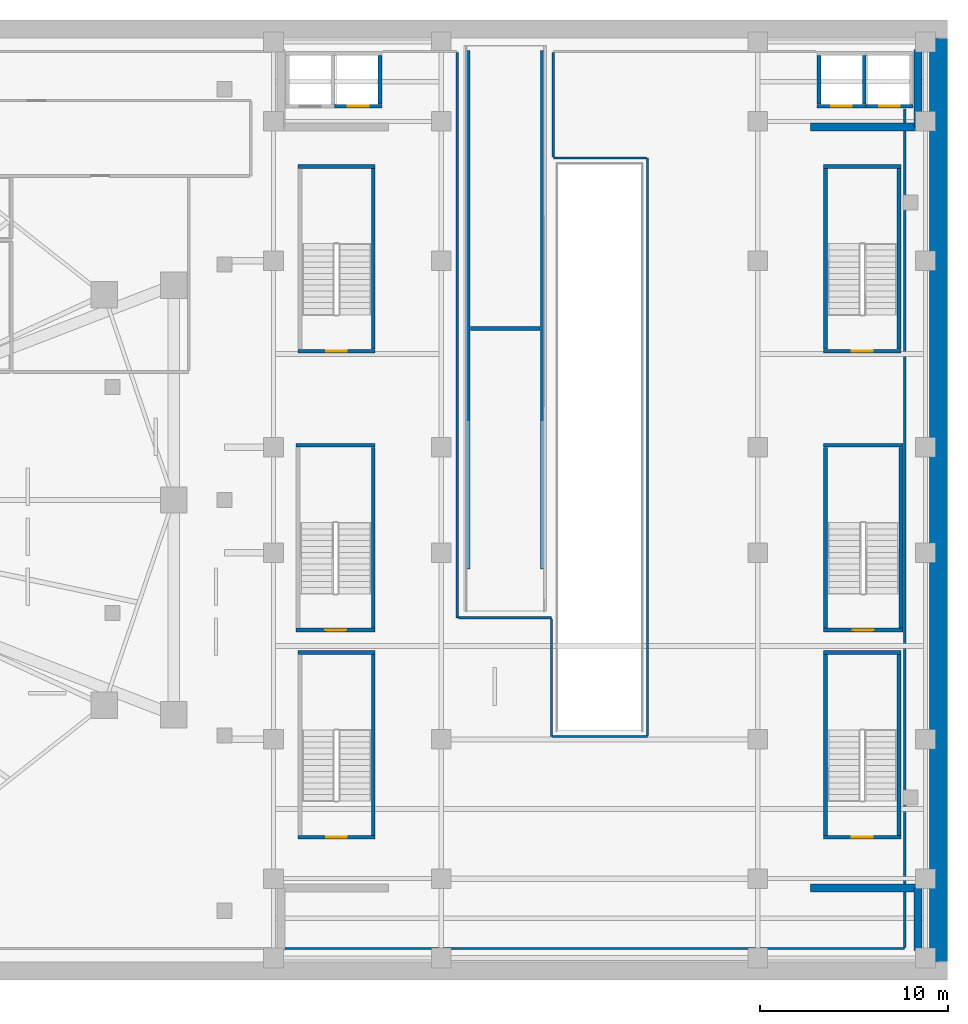
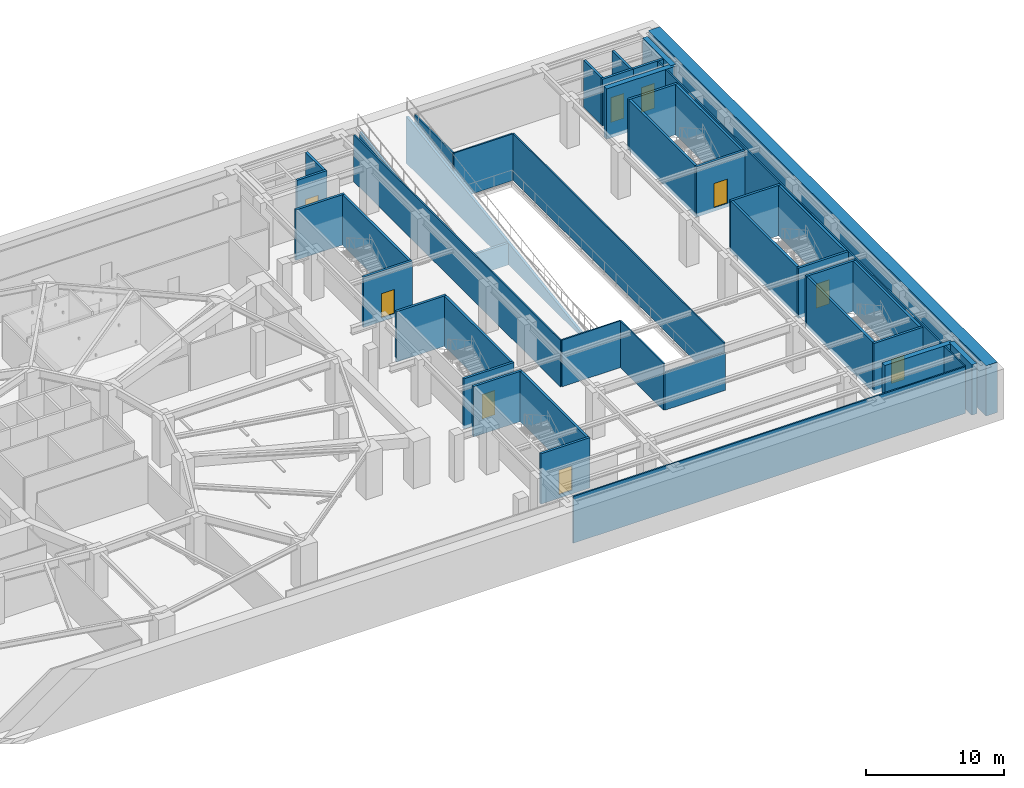
# One storey, part 9 of 16: 46 walls, 9 doors, 9 openings.
"""IFC4 building model written with IfcOpenShell, lengths in metres."""

from ifc_helpers import new_model, si_unit, direction, frame, frame_2d, origin, place, context, subcontext, project, spatial, polyline, rectangle, outline, extrude, material, layer, layer_set, type_object, element, fill, save


model = new_model("IFC4")

# Units and contexts
model_context = context("Model", 3, precision=1e-05, world=origin(), true_north=direction((0.0, 1.0)))
body_context = subcontext(model_context, "Body", "Model", "MODEL_VIEW")
ifc_project = project(units=[si_unit("LENGTHUNIT", "METRE"), si_unit("AREAUNIT", "SQUARE_METRE"), si_unit("VOLUMEUNIT", "CUBIC_METRE"), si_unit("PLANEANGLEUNIT", "RADIAN"), si_unit("MASSUNIT", "GRAM", prefix="KILO")], contexts=[model_context])

# Site, building, storey
site_placement = place(None, origin())
site = spatial("IfcSite", under=ifc_project, at=site_placement, CompositionType="ELEMENT")
building_placement = place(site_placement, origin())
building = spatial("IfcBuilding", under=site, at=building_placement, Name="Kolvaren Gate Tower and Convention Centre", CompositionType="ELEMENT")
storey_placement = place(building_placement, frame((0.0, 0.0, -4.5)))
storey = spatial("IfcBuildingStorey", under=building, at=storey_placement, Name="B1", CompositionType="ELEMENT", Elevation=-4.5)

# Walls
ifc_material_1 = material(Name="Fire-Rated Acoustic Gypsum Stud Partition", Category="gypsum")
ifc_layer_1 = layer(ifc_material_1, 0.1201171875)
ifc_layer_set_1 = layer_set([ifc_layer_1], Name="Fire-Rated Acoustic Gypsum Stud Partition")
wall_type_1 = type_object("IfcWallType", Name="ARCH-WL-PART-120", PredefinedType="PARTITIONING", material=ifc_layer_set_1)
wall_1_placement = place(storey_placement, frame((63.31201171875, 3.199951171875, 0.0), z_axis=(0.0, 0.0, 1.0), x_axis=(1.0, 0.0, 0.0)))
element("IfcWall", 1, at=wall_1_placement, inside=storey, type_object=wall_type_1, Name="Interior Partition WL-B1-INT-034 (2)", PredefinedType="PARTITIONING", context=body_context, shape_type="SweptSolid", body=[
    extrude(rectangle(XDim=32.887939453125, YDim=0.1201171875, at=frame_2d((16.44384765625, 0.0))), origin(), (0.0, 0.0, 1.0), 4.139892578125),
])
wall_2_placement = place(storey_placement, frame((72.449951171875, 20.75, 0.0), z_axis=(0.0, 0.0, 1.0), x_axis=(0.0, 1.0, 0.0)))
element("IfcWall", 2, at=wall_2_placement, inside=storey, type_object=wall_type_1, Name="Interior Partition WL-B1-INT-040", PredefinedType="PARTITIONING", context=body_context, shape_type="SweptSolid", body=[
    extrude(rectangle(XDim=29.988037109375, YDim=0.1201171875, at=frame_2d((14.994140625, 0.0))), origin(), (0.0, 0.0, 1.0), 4.139892578125),
])
wall_3_placement = place(storey_placement, frame((72.511962890625, 20.75, 0.0), z_axis=(0.0, 0.0, 1.0), x_axis=(1.0, 0.0, 0.0)))
element("IfcWall", 3, at=wall_3_placement, inside=storey, type_object=wall_type_1, Name="Interior Partition WL-B1-INT-041", PredefinedType="PARTITIONING", context=body_context, shape_type="SweptSolid", body=[
    extrude(rectangle(XDim=4.93798828125, YDim=0.1201171875, at=frame_2d((2.468994140625, 0.0))), origin(), (0.0, 0.0, 1.0), 4.139892578125),
])
wall_4_placement = place(storey_placement, frame((77.449951171875, 14.449951171875, 0.0), z_axis=(0.0, 0.0, 1.0), x_axis=(0.0, 1.0, 0.0)))
element("IfcWall", 4, at=wall_4_placement, inside=storey, type_object=wall_type_1, Name="Interior Partition WL-B1-INT-042", PredefinedType="PARTITIONING", context=body_context, shape_type="SweptSolid", body=[
    extrude(rectangle(XDim=6.238037109375, YDim=0.1201171875, at=frame_2d((3.119140625, 0.0))), origin(), (0.0, 0.0, 1.0), 4.139892578125),
])
wall_5_placement = place(storey_placement, frame((77.511962890625, 14.449951171875, 0.0), z_axis=(0.0, 0.0, 1.0), x_axis=(1.0, 0.0, 0.0)))
element("IfcWall", 5, at=wall_5_placement, inside=storey, type_object=wall_type_1, Name="Interior Partition WL-B1-INT-043", PredefinedType="PARTITIONING", context=body_context, shape_type="SweptSolid", body=[
    extrude(rectangle(XDim=5.0380859375, YDim=0.1201171875, at=frame_2d((2.51904296875, 0.0))), origin(), (0.0, 0.0, 1.0), 3.3740234375),
])
wall_6_placement = place(storey_placement, frame((82.550048828125, 14.511962890625, 0.0), z_axis=(0.0, 0.0, 1.0), x_axis=(0.0, 1.0, 0.0)))
element("IfcWall", 6, at=wall_6_placement, inside=storey, type_object=wall_type_1, Name="Interior Partition WL-B1-INT-044", PredefinedType="PARTITIONING", context=body_context, shape_type="SweptSolid", body=[
    extrude(rectangle(XDim=30.637939453125, YDim=0.1201171875, at=frame_2d((15.31884765625, 0.0))), origin(), (0.0, 0.0, 1.0), 4.139892578125),
])
wall_7_placement = place(storey_placement, frame((77.550048828125, 45.14990234375, 0.0), z_axis=(0.0, 0.0, 1.0), x_axis=(1.0, 0.0, 0.0)))
element("IfcWall", 7, at=wall_7_placement, inside=storey, type_object=wall_type_1, Name="Interior Partition WL-B1-INT-045", PredefinedType="PARTITIONING", context=body_context, shape_type="SweptSolid", body=[
    extrude(rectangle(XDim=4.93798828125, YDim=0.1201171875, at=frame_2d((2.468994140625, 0.0))), origin(), (0.0, 0.0, 1.0), 4.139892578125),
])
wall_8_placement = place(storey_placement, frame((77.550048828125, 45.2119140625, 0.0), z_axis=(0.0, 0.0, 1.0), x_axis=(0.0, 1.0, 0.0)))
element("IfcWall", 8, at=wall_8_placement, inside=storey, type_object=wall_type_1, Name="Interior Partition WL-B1-INT-046", PredefinedType="PARTITIONING", context=body_context, shape_type="SweptSolid", body=[
    extrude(rectangle(XDim=5.526123046875, YDim=0.1201171875, at=frame_2d((2.76318359375, 0.0))), origin(), (0.0, 0.0, 1.0), 4.139892578125),
])
wall_9_placement = place(storey_placement, frame((96.199951171875, 3.261962890625, 0.0), z_axis=(0.0, 0.0, 1.0), x_axis=(0.0, 1.0, 0.0)))
element("IfcWall", 9, at=wall_9_placement, inside=storey, type_object=wall_type_1, Name="Interior Partition WL-B1-INT-047", PredefinedType="PARTITIONING", context=body_context, shape_type="SweptSolid", body=[
    extrude(rectangle(XDim=2.926025390625, YDim=0.1201171875, at=frame_2d((1.462890625, 0.0))), origin(), (0.0, 0.0, 1.0), 4.139892578125),
])
wall_10_placement = place(storey_placement, frame((96.199951171875, 6.612060546875, 0.0), z_axis=(0.0, 0.0, 1.0), x_axis=(0.0, 1.0, 0.0)))
element("IfcWall", 10, at=wall_10_placement, inside=storey, type_object=wall_type_1, Name="Interior Partition WL-B1-INT-047 (2)", PredefinedType="PARTITIONING", context=body_context, shape_type="SweptSolid", body=[
    extrude(rectangle(XDim=39.975830078125, YDim=0.1201171875, at=frame_2d((19.98779296875, 0.0))), origin(), (0.0, 0.0, 1.0), 4.139892578125),
])
wall_11_placement = place(storey_placement, frame((96.199951171875, 47.011962890625, 0.0), z_axis=(0.0, 0.0, 1.0), x_axis=(0.0, 1.0, 0.0)))
element("IfcWall", 11, at=wall_11_placement, inside=storey, type_object=wall_type_1, Name="Interior Partition WL-B1-INT-047 (3)", PredefinedType="PARTITIONING", context=body_context, shape_type="SweptSolid", body=[
    extrude(rectangle(XDim=0.738037109375, YDim=0.1201171875, at=frame_2d((0.369140625, 0.0))), origin(), (0.0, 0.0, 1.0), 4.139892578125),
])

# Wall, opening, door
ifc_material_2 = material(Name="Autoclaved Aerated Masonry Blockwork Class 4 (4.0 MPa)", Category="masonry")
ifc_layer_2 = layer(ifc_material_2, 0.199951171875)
ifc_layer_set_2 = layer_set([ifc_layer_2], Name="Autoclaved Aerated Masonry Blockwork Class 4 (4.0 MPa)")
wall_type_2 = type_object("IfcWallType", Name="ARCH-WL-SHAFT-200", PredefinedType="SOLIDWALL", material=ifc_layer_set_2)
wall_12_placement = place(storey_placement, frame((65.949951171875, 47.89990234375, 0.0), z_axis=(0.0, 0.0, 1.0), x_axis=(1.0, 0.0, 0.0)))
wall_12 = element("IfcWall", 12, at=wall_12_placement, inside=storey, type_object=wall_type_2, Name="Elevator CL-02 B1 Fire Shaft Wall S", PredefinedType="SOLIDWALL", context=body_context, shape_type="SweptSolid", body=[
    extrude(rectangle(XDim=2.5, YDim=0.199951171875, at=frame_2d((1.25, 0.0))), origin(), (0.0, 0.0, 1.0), 4.139892578125),
])
opening_1_placement = place(wall_12_placement, frame((0.699951171875, 0.0, 0.0)))
opening_1 = element("IfcOpeningElement", 13, at=opening_1_placement, cuts=wall_12, Name="Opening LD", PredefinedType="OPENING", context=body_context, shape_type="SweptSolid", body=[
    extrude(rectangle(XDim=1.10009765625, YDim=2.199951171875, at=frame_2d((0.550048828125, 1.10009765625))), frame((0.0, 0.10986328125, 0.0), z_axis=(0.0, -1.0, 0.0), x_axis=(1.0, 0.0, 0.0)), (0.0, 0.0, 1.0), 0.219970703125),
])
ifc_material_3 = material(Name="Brushed Stainless Steel Grade 316L", Category="steel")
door_type_1 = type_object("IfcDoorType", Name="ARCH-DR-LIFT-1100", OperationType="SLIDING_TO_LEFT", PredefinedType="DOOR", material=ifc_material_3)
door_1_placement = place(opening_1_placement, origin())
door_1 = element("IfcDoor", 14, at=door_1_placement, inside=storey, type_object=door_type_1, Name="Elevator CL-02 B1 Sliding Landing Door", OperationType="SLIDING_TO_LEFT", OverallHeight=2.199951171875, OverallWidth=1.10009765625, PredefinedType="DOOR", context=body_context, shape_type="SweptSolid", body=[
    extrude(rectangle(XDim=1.10009765625, YDim=2.199951171875, at=frame_2d((0.550048828125, 1.10009765625))), frame((0.0, 0.02490234375, 0.0), z_axis=(0.0, -1.0, 0.0), x_axis=(1.0, 0.0, 0.0)), (0.0, 0.0, 1.0), 0.050048828125),
])
fill(opening_1, door_1)

# Wall
wall_13_placement = place(storey_placement, frame((68.35009765625, 48.010009765625, 0.0), z_axis=(0.0, 0.0, 1.0), x_axis=(0.0, 1.0, 0.0)))
element("IfcWall", 15, at=wall_13_placement, inside=storey, type_object=wall_type_2, Name="Elevator CL-02 B1 Fire Shaft Wall E", PredefinedType="SOLIDWALL", context=body_context, shape_type="SweptSolid", body=[
    extrude(rectangle(XDim=2.580078125, YDim=0.199951171875, at=frame_2d((1.2900390625, 0.0))), origin(), (0.0, 0.0, 1.0), 4.139892578125),
])

# Wall, opening, door
wall_14_placement = place(storey_placement, frame((91.550048828125, 47.89990234375, 0.0), z_axis=(0.0, 0.0, 1.0), x_axis=(1.0, 0.0, 0.0)))
wall_14 = element("IfcWall", 16, at=wall_14_placement, inside=storey, type_object=wall_type_2, Name="Elevator CL-03 B1 Fire Shaft Wall S", PredefinedType="SOLIDWALL", context=body_context, shape_type="SweptSolid", body=[
    extrude(rectangle(XDim=2.599853515625, YDim=0.199951171875, at=frame_2d((1.2998046875, 0.0))), origin(), (0.0, 0.0, 1.0), 4.139892578125),
])
opening_2_placement = place(wall_14_placement, frame((0.75, 0.0, 0.0)))
opening_2 = element("IfcOpeningElement", 17, at=opening_2_placement, cuts=wall_14, Name="Opening LD", PredefinedType="OPENING", context=body_context, shape_type="SweptSolid", body=[
    extrude(rectangle(XDim=1.10009765625, YDim=2.199951171875, at=frame_2d((0.550048828125, 1.10009765625))), frame((0.0, 0.10986328125, 0.0), z_axis=(0.0, -1.0, 0.0), x_axis=(1.0, 0.0, 0.0)), (0.0, 0.0, 1.0), 0.219970703125),
])
door_2_placement = place(opening_2_placement, origin())
door_2 = element("IfcDoor", 18, at=door_2_placement, inside=storey, type_object=door_type_1, Name="Elevator CL-03 B1 Sliding Landing Door", OperationType="SLIDING_TO_LEFT", OverallHeight=2.199951171875, OverallWidth=1.10009765625, PredefinedType="DOOR", context=body_context, shape_type="SweptSolid", body=[
    extrude(rectangle(XDim=1.10009765625, YDim=2.199951171875, at=frame_2d((0.550048828125, 1.10009765625))), frame((0.0, 0.02490234375, 0.0), z_axis=(0.0, -1.0, 0.0), x_axis=(1.0, 0.0, 0.0)), (0.0, 0.0, 1.0), 0.050048828125),
])
fill(opening_2, door_2)

# Walls
for number, where, z_axis, x_axis, name in (
    (19, (91.64990234375, 48.010009765625, 0.0), (0.0, 0.0, 1.0), (0.0, 1.0, 0.0), "Elevator CL-03 B1 Fire Shaft Wall W"),
    (20, (94.050048828125, 48.010009765625, 0.0), (0.0, 0.0, 1.0), (0.0, 1.0, 0.0), "Elevator CL-03 B1 Fire Shaft Wall E"),
):
    element("IfcWall", number, at=place(storey_placement, frame(where, z_axis=z_axis, x_axis=x_axis)), inside=storey, type_object=wall_type_2, Name=name, PredefinedType="SOLIDWALL", context=body_context, shape_type="SweptSolid", body=[
        extrude(rectangle(XDim=2.580078125, YDim=0.199951171875, at=frame_2d((1.2900390625, 0.0))), origin(), (0.0, 0.0, 1.0), 4.139892578125),
    ])

# Wall, opening, door
wall_15_placement = place(storey_placement, frame((94.14990234375, 47.89990234375, 0.0), z_axis=(0.0, 0.0, 1.0), x_axis=(1.0, 0.0, 0.0)))
wall_15 = element("IfcWall", 21, at=wall_15_placement, inside=storey, type_object=wall_type_2, Name="Elevator CL-04 B1 Fire Shaft Wall S", PredefinedType="SOLIDWALL", context=body_context, shape_type="SweptSolid", body=[
    extrude(rectangle(XDim=2.5, YDim=0.199951171875, at=frame_2d((1.25, 0.0))), origin(), (0.0, 0.0, 1.0), 4.139892578125),
])
opening_3_placement = place(wall_15_placement, frame((0.699951171875, 0.0, 0.0)))
opening_3 = element("IfcOpeningElement", 22, at=opening_3_placement, cuts=wall_15, Name="Opening LD", PredefinedType="OPENING", context=body_context, shape_type="SweptSolid", body=[
    extrude(rectangle(XDim=1.10009765625, YDim=2.199951171875, at=frame_2d((0.550048828125, 1.10009765625))), frame((0.0, 0.10986328125, 0.0), z_axis=(0.0, -1.0, 0.0), x_axis=(1.0, 0.0, 0.0)), (0.0, 0.0, 1.0), 0.219970703125),
])
door_3_placement = place(opening_3_placement, origin())
door_3 = element("IfcDoor", 23, at=door_3_placement, inside=storey, type_object=door_type_1, Name="Elevator CL-04 B1 Sliding Landing Door", OperationType="SLIDING_TO_LEFT", OverallHeight=2.199951171875, OverallWidth=1.10009765625, PredefinedType="DOOR", context=body_context, shape_type="SweptSolid", body=[
    extrude(rectangle(XDim=1.10009765625, YDim=2.199951171875, at=frame_2d((0.550048828125, 1.10009765625))), frame((0.0, 0.02490234375, 0.0), z_axis=(0.0, -1.0, 0.0), x_axis=(1.0, 0.0, 0.0)), (0.0, 0.0, 1.0), 0.050048828125),
])
fill(opening_3, door_3)

# Walls
ifc_material_4 = material(Name="Concrete C50/60", Category="concrete")
ifc_layer_3 = layer(ifc_material_4, 0.419921875)
ifc_layer_set_3 = layer_set([ifc_layer_3], Name="Concrete C50/60")
wall_type_3 = type_object("IfcWallType", Name="STR-WL-CONV-420", PredefinedType="SHEAR", material=ifc_layer_set_3)
wall_16_placement = place(storey_placement, frame((96.89990234375, 46.800048828125, -0.320068359375), z_axis=(0.0, 0.0, 1.0), x_axis=(0.0, 1.0, 0.0)))
element("IfcWall", 24, at=wall_16_placement, inside=storey, type_object=wall_type_3, Name="Convention B1 Shear Core Wall CCNE-E", PredefinedType="SHEAR", context=body_context, shape_type="SweptSolid", body=[
    extrude(rectangle(XDim=4.099853515625, YDim=0.419921875, at=frame_2d((2.0498046875, 0.0))), origin(), (0.0, 0.0, 1.0), 4.4599609375),
])
wall_17_placement = place(storey_placement, frame((91.199951171875, 46.800048828125, -0.320068359375), z_axis=(0.0, 0.0, 1.0), x_axis=(1.0, 0.0, 0.0)))
element("IfcWall", 25, at=wall_17_placement, inside=storey, type_object=wall_type_3, Name="Convention B1 Shear Core Wall CCNE-S", PredefinedType="SHEAR", context=body_context, shape_type="SweptSolid", body=[
    extrude(rectangle(XDim=5.699951171875, YDim=0.419921875, at=frame_2d((2.85009765625, 0.0))), origin(), (0.0, 0.0, 1.0), 4.4599609375),
])
wall_18_placement = place(storey_placement, frame((96.89990234375, 3.10009765625, -0.320068359375), z_axis=(0.0, 0.0, 1.0), x_axis=(0.0, 1.0, 0.0)))
element("IfcWall", 26, at=wall_18_placement, inside=storey, type_object=wall_type_3, Name="Convention B1 Shear Core Wall CCSE-E", PredefinedType="SHEAR", context=body_context, shape_type="SweptSolid", body=[
    extrude(rectangle(XDim=3.2998046875, YDim=0.419921875, at=frame_2d((1.64990234375, 0.0))), origin(), (0.0, 0.0, 1.0), 4.4599609375),
])
wall_19_placement = place(storey_placement, frame((91.199951171875, 6.39990234375, -0.320068359375), z_axis=(0.0, 0.0, 1.0), x_axis=(1.0, 0.0, 0.0)))
element("IfcWall", 27, at=wall_19_placement, inside=storey, type_object=wall_type_3, Name="Convention B1 Shear Core Wall CCSE-N", PredefinedType="SHEAR", context=body_context, shape_type="SweptSolid", body=[
    extrude(rectangle(XDim=5.699951171875, YDim=0.419921875, at=frame_2d((2.85009765625, 0.0))), origin(), (0.0, 0.0, 1.0), 4.4599609375),
])
ifc_layer_4 = layer(ifc_material_4, 0.949951171875)
ifc_layer_set_4 = layer_set([ifc_layer_4], Name="Concrete C50/60")
wall_type_4 = type_object("IfcWallType", Name="STR-WL-DIAPH-950", PredefinedType="USERDEFINED", material=ifc_layer_set_4)
wall_20_placement = place(storey_placement, frame((98.0, 2.4951171875, -0.320068359375), z_axis=(0.0, 0.0, 1.0), x_axis=(0.0, 1.0, 0.0)))
element("IfcWall", 28, at=wall_20_placement, inside=storey, type_object=wall_type_4, Name="Basement B1 E Perimeter Diaphragm Wall", ObjectType="RETAINING WALL", PredefinedType="USERDEFINED", context=body_context, shape_type="SweptSolid", body=[
    extrude(rectangle(XDim=49.009765625, YDim=0.949951171875, at=frame_2d((24.5048828125, 0.0))), origin(), (0.0, 0.0, 1.0), 4.4599609375),
])
ifc_layer_5 = layer(ifc_material_4, 0.199951171875)
ifc_layer_set_5 = layer_set([ifc_layer_5], Name="Concrete C50/60")
wall_type_5 = type_object("IfcWallType", Name="STR-WL-SHAFT-200", PredefinedType="SHEAR", material=ifc_layer_set_5)
for number, where, z_axis, x_axis, name in (
    (29, (73.0400390625, 23.35009765625, 0.0), (0.0, 0.0, 1.0), (0.0, 1.0, 0.0), "Vehicle Ramp VR-01 Sloped RC Cheek Support Wall W"),
    (30, (76.9599609375, 23.35009765625, 0.0), (0.0, 0.0, 1.0), (0.0, 1.0, 0.0), "Vehicle Ramp VR-01 Sloped RC Cheek Support Wall E"),
):
    element("IfcWall", number, at=place(storey_placement, frame(where, z_axis=z_axis, x_axis=x_axis)), inside=storey, type_object=wall_type_5, Name=name, PredefinedType="SHEAR", context=body_context, shape_type="SweptSolid", body=[
        extrude(outline(polyline([(0.0, 0.0), (27.5, 0.0), (27.5, 4.150390625), (0.0, 0.025390625), (0.0, 0.0)])), frame((0.0, 0.10009765625, 0.0), z_axis=(0.0, -1.0, 0.0), x_axis=(1.0, 0.0, 0.0)), (0.0, 0.0, 1.0), 0.199951171875),
    ])
wall_21_placement = place(storey_placement, frame((73.14990234375, 36.10009765625, 0.0), z_axis=(0.0, 0.0, 1.0), x_axis=(1.0, 0.0, 0.0)))
element("IfcWall", 31, at=wall_21_placement, inside=storey, type_object=wall_type_5, Name="Vehicle Ramp VR-01 Mid-Span RC Pier Wall", PredefinedType="SHEAR", context=body_context, shape_type="SweptSolid", body=[
    extrude(rectangle(XDim=3.7001953125, YDim=0.199951171875, at=frame_2d((1.85009765625, 0.0))), origin(), (0.0, 0.0, 1.0), 1.93505859375),
])

# Wall, opening, door
wall_22_placement = place(storey_placement, frame((64.0, 34.89990234375, -0.320068359375), z_axis=(0.0, 0.0, 1.0), x_axis=(1.0, 0.0, 0.0)))
wall_22 = element("IfcWall", 32, at=wall_22_placement, inside=storey, type_object=wall_type_5, Name="Convention NW Exit Stair ST-C1 B1 Structural Shear Enclosure Wall NEAR", PredefinedType="SHEAR", context=body_context, shape_type="SweptSolid", body=[
    extrude(rectangle(XDim=4.10009765625, YDim=0.199951171875, at=frame_2d((2.050048828125, 0.0))), origin(), (0.0, 0.0, 1.0), 4.4599609375),
])
opening_4_placement = place(wall_22_placement, frame((1.5, 0.0, 0.320068359375)))
opening_4 = element("IfcOpeningElement", 33, at=opening_4_placement, cuts=wall_22, Name="Opening DS-01", PredefinedType="OPENING", context=body_context, shape_type="SweptSolid", body=[
    extrude(rectangle(XDim=1.10009765625, YDim=2.14990234375, at=frame_2d((0.550048828125, 1.074951171875))), frame((0.0, 0.10986328125, 0.0), z_axis=(0.0, -1.0, 0.0), x_axis=(1.0, 0.0, 0.0)), (0.0, 0.0, 1.0), 0.219970703125),
])
ifc_material_5 = material(Name="Painted Architectural Steelwork ASTM A500 Grade C 345 MPa", Category="steel")
door_type_2 = type_object("IfcDoorType", Name="ARCH-DR-STAIR-1100", OperationType="SINGLE_SWING_LEFT", PredefinedType="DOOR", material=ifc_material_5)
door_4_placement = place(opening_4_placement, origin())
door_4 = element("IfcDoor", 34, at=door_4_placement, inside=storey, type_object=door_type_2, Name="Convention NW Exit Stair ST-C1 B1 Fire Exit Stair Door", OperationType="SINGLE_SWING_LEFT", OverallHeight=2.14990234375, OverallWidth=1.10009765625, PredefinedType="DOOR", context=body_context, shape_type="SweptSolid", body=[
    extrude(rectangle(XDim=1.10009765625, YDim=2.14990234375, at=frame_2d((0.550048828125, 1.074951171875))), frame((0.0, 0.02490234375, 0.0), z_axis=(0.0, -1.0, 0.0), x_axis=(1.0, 0.0, 0.0)), (0.0, 0.0, 1.0), 0.050048828125),
])
fill(opening_4, door_4)

# Walls
wall_23_placement = place(storey_placement, frame((64.0, 44.699951171875, -0.320068359375), z_axis=(0.0, 0.0, 1.0), x_axis=(1.0, 0.0, 0.0)))
element("IfcWall", 35, at=wall_23_placement, inside=storey, type_object=wall_type_5, Name="Convention NW Exit Stair ST-C1 B1 Structural Shear Enclosure Wall FAR", PredefinedType="SHEAR", context=body_context, shape_type="SweptSolid", body=[
    extrude(rectangle(XDim=4.10009765625, YDim=0.199951171875, at=frame_2d((2.050048828125, 0.0))), origin(), (0.0, 0.0, 1.0), 4.4599609375),
])
wall_24_placement = place(storey_placement, frame((68.0, 35.001953125, -0.320068359375), z_axis=(0.0, 0.0, 1.0), x_axis=(0.0, 1.0, 0.0)))
element("IfcWall", 36, at=wall_24_placement, inside=storey, type_object=wall_type_5, Name="Convention NW Exit Stair ST-C1 B1 Structural Shear Enclosure Wall EAST", PredefinedType="SHEAR", context=body_context, shape_type="SweptSolid", body=[
    extrude(rectangle(XDim=9.595947265625, YDim=0.199951171875, at=frame_2d((4.7978515625, 0.0))), origin(), (0.0, 0.0, 1.0), 4.4599609375),
])

# Wall, opening, door
wall_25_placement = place(storey_placement, frame((64.0, 9.10009765625, -0.320068359375), z_axis=(0.0, 0.0, 1.0), x_axis=(1.0, 0.0, 0.0)))
wall_25 = element("IfcWall", 37, at=wall_25_placement, inside=storey, type_object=wall_type_5, Name="Convention SW Exit Stair ST-C2 B1 Structural Shear Enclosure Wall NEAR", PredefinedType="SHEAR", context=body_context, shape_type="SweptSolid", body=[
    extrude(rectangle(XDim=4.10009765625, YDim=0.199951171875, at=frame_2d((2.050048828125, 0.0))), origin(), (0.0, 0.0, 1.0), 4.4599609375),
])
opening_5_placement = place(wall_25_placement, frame((1.5, 0.0, 0.320068359375)))
opening_5 = element("IfcOpeningElement", 38, at=opening_5_placement, cuts=wall_25, Name="Opening DS-01", PredefinedType="OPENING", context=body_context, shape_type="SweptSolid", body=[
    extrude(rectangle(XDim=1.10009765625, YDim=2.14990234375, at=frame_2d((0.550048828125, 1.074951171875))), frame((0.0, 0.10986328125, 0.0), z_axis=(0.0, -1.0, 0.0), x_axis=(1.0, 0.0, 0.0)), (0.0, 0.0, 1.0), 0.219970703125),
])
door_5_placement = place(opening_5_placement, origin())
door_5 = element("IfcDoor", 39, at=door_5_placement, inside=storey, type_object=door_type_2, Name="Convention SW Exit Stair ST-C2 B1 Fire Exit Stair Door", OperationType="SINGLE_SWING_LEFT", OverallHeight=2.14990234375, OverallWidth=1.10009765625, PredefinedType="DOOR", context=body_context, shape_type="SweptSolid", body=[
    extrude(rectangle(XDim=1.10009765625, YDim=2.14990234375, at=frame_2d((0.550048828125, 1.074951171875))), frame((0.0, 0.02490234375, 0.0), z_axis=(0.0, -1.0, 0.0), x_axis=(1.0, 0.0, 0.0)), (0.0, 0.0, 1.0), 0.050048828125),
])
fill(opening_5, door_5)

# Walls
wall_26_placement = place(storey_placement, frame((64.0, 18.89990234375, -0.320068359375), z_axis=(0.0, 0.0, 1.0), x_axis=(1.0, 0.0, 0.0)))
element("IfcWall", 40, at=wall_26_placement, inside=storey, type_object=wall_type_5, Name="Convention SW Exit Stair ST-C2 B1 Structural Shear Enclosure Wall FAR", PredefinedType="SHEAR", context=body_context, shape_type="SweptSolid", body=[
    extrude(rectangle(XDim=4.10009765625, YDim=0.199951171875, at=frame_2d((2.050048828125, 0.0))), origin(), (0.0, 0.0, 1.0), 4.4599609375),
])
wall_27_placement = place(storey_placement, frame((68.0, 9.201904296875, -0.320068359375), z_axis=(0.0, 0.0, 1.0), x_axis=(0.0, 1.0, 0.0)))
element("IfcWall", 41, at=wall_27_placement, inside=storey, type_object=wall_type_5, Name="Convention SW Exit Stair ST-C2 B1 Structural Shear Enclosure Wall EAST", PredefinedType="SHEAR", context=body_context, shape_type="SweptSolid", body=[
    extrude(rectangle(XDim=9.59619140625, YDim=0.199951171875, at=frame_2d((4.798095703125, 0.0))), origin(), (0.0, 0.0, 1.0), 4.4599609375),
])

# Wall, opening, door
wall_28_placement = place(storey_placement, frame((91.89990234375, 34.89990234375, -0.320068359375), z_axis=(0.0, 0.0, 1.0), x_axis=(1.0, 0.0, 0.0)))
wall_28 = element("IfcWall", 42, at=wall_28_placement, inside=storey, type_object=wall_type_5, Name="Convention NE Exit Stair ST-C3 B1 Structural Shear Enclosure Wall NEAR", PredefinedType="SHEAR", context=body_context, shape_type="SweptSolid", body=[
    extrude(rectangle(XDim=4.10009765625, YDim=0.199951171875, at=frame_2d((2.050048828125, 0.0))), origin(), (0.0, 0.0, 1.0), 4.4599609375),
])
opening_6_placement = place(wall_28_placement, frame((1.5, 0.0, 0.320068359375)))
opening_6 = element("IfcOpeningElement", 43, at=opening_6_placement, cuts=wall_28, Name="Opening DS-01", PredefinedType="OPENING", context=body_context, shape_type="SweptSolid", body=[
    extrude(rectangle(XDim=1.10009765625, YDim=2.14990234375, at=frame_2d((0.550048828125, 1.074951171875))), frame((0.0, 0.10986328125, 0.0), z_axis=(0.0, -1.0, 0.0), x_axis=(1.0, 0.0, 0.0)), (0.0, 0.0, 1.0), 0.219970703125),
])
door_6_placement = place(opening_6_placement, origin())
door_6 = element("IfcDoor", 44, at=door_6_placement, inside=storey, type_object=door_type_2, Name="Convention NE Exit Stair ST-C3 B1 Fire Exit Stair Door", OperationType="SINGLE_SWING_LEFT", OverallHeight=2.14990234375, OverallWidth=1.10009765625, PredefinedType="DOOR", context=body_context, shape_type="SweptSolid", body=[
    extrude(rectangle(XDim=1.10009765625, YDim=2.14990234375, at=frame_2d((0.550048828125, 1.074951171875))), frame((0.0, 0.02490234375, 0.0), z_axis=(0.0, -1.0, 0.0), x_axis=(1.0, 0.0, 0.0)), (0.0, 0.0, 1.0), 0.050048828125),
])
fill(opening_6, door_6)

# Walls
wall_29_placement = place(storey_placement, frame((91.89990234375, 44.699951171875, -0.320068359375), z_axis=(0.0, 0.0, 1.0), x_axis=(1.0, 0.0, 0.0)))
element("IfcWall", 45, at=wall_29_placement, inside=storey, type_object=wall_type_5, Name="Convention NE Exit Stair ST-C3 B1 Structural Shear Enclosure Wall FAR", PredefinedType="SHEAR", context=body_context, shape_type="SweptSolid", body=[
    extrude(rectangle(XDim=4.10009765625, YDim=0.199951171875, at=frame_2d((2.050048828125, 0.0))), origin(), (0.0, 0.0, 1.0), 4.4599609375),
])
for number, where, z_axis, x_axis, name in (
    (46, (92.0, 35.001953125, -0.320068359375), (0.0, 0.0, 1.0), (0.0, 1.0, 0.0), "Convention NE Exit Stair ST-C3 B1 Structural Shear Enclosure Wall WEST"),
    (47, (95.89990234375, 35.001953125, -0.320068359375), (0.0, 0.0, 1.0), (0.0, 1.0, 0.0), "Convention NE Exit Stair ST-C3 B1 Structural Shear Enclosure Wall EAST"),
):
    element("IfcWall", number, at=place(storey_placement, frame(where, z_axis=z_axis, x_axis=x_axis)), inside=storey, type_object=wall_type_5, Name=name, PredefinedType="SHEAR", context=body_context, shape_type="SweptSolid", body=[
        extrude(rectangle(XDim=9.595947265625, YDim=0.199951171875, at=frame_2d((4.7978515625, 0.0))), origin(), (0.0, 0.0, 1.0), 4.4599609375),
    ])

# Wall, opening, door
wall_30_placement = place(storey_placement, frame((91.89990234375, 9.10009765625, -0.320068359375), z_axis=(0.0, 0.0, 1.0), x_axis=(1.0, 0.0, 0.0)))
wall_30 = element("IfcWall", 48, at=wall_30_placement, inside=storey, type_object=wall_type_5, Name="Convention SE Exit Stair ST-C4 B1 Structural Shear Enclosure Wall NEAR", PredefinedType="SHEAR", context=body_context, shape_type="SweptSolid", body=[
    extrude(rectangle(XDim=4.10009765625, YDim=0.199951171875, at=frame_2d((2.050048828125, 0.0))), origin(), (0.0, 0.0, 1.0), 4.4599609375),
])
opening_7_placement = place(wall_30_placement, frame((1.5, 0.0, 0.320068359375)))
opening_7 = element("IfcOpeningElement", 49, at=opening_7_placement, cuts=wall_30, Name="Opening DS-01", PredefinedType="OPENING", context=body_context, shape_type="SweptSolid", body=[
    extrude(rectangle(XDim=1.10009765625, YDim=2.14990234375, at=frame_2d((0.550048828125, 1.074951171875))), frame((0.0, 0.10986328125, 0.0), z_axis=(0.0, -1.0, 0.0), x_axis=(1.0, 0.0, 0.0)), (0.0, 0.0, 1.0), 0.219970703125),
])
door_7_placement = place(opening_7_placement, origin())
door_7 = element("IfcDoor", 50, at=door_7_placement, inside=storey, type_object=door_type_2, Name="Convention SE Exit Stair ST-C4 B1 Fire Exit Stair Door", OperationType="SINGLE_SWING_LEFT", OverallHeight=2.14990234375, OverallWidth=1.10009765625, PredefinedType="DOOR", context=body_context, shape_type="SweptSolid", body=[
    extrude(rectangle(XDim=1.10009765625, YDim=2.14990234375, at=frame_2d((0.550048828125, 1.074951171875))), frame((0.0, 0.02490234375, 0.0), z_axis=(0.0, -1.0, 0.0), x_axis=(1.0, 0.0, 0.0)), (0.0, 0.0, 1.0), 0.050048828125),
])
fill(opening_7, door_7)

# Walls
wall_31_placement = place(storey_placement, frame((91.89990234375, 18.89990234375, -0.320068359375), z_axis=(0.0, 0.0, 1.0), x_axis=(1.0, 0.0, 0.0)))
element("IfcWall", 51, at=wall_31_placement, inside=storey, type_object=wall_type_5, Name="Convention SE Exit Stair ST-C4 B1 Structural Shear Enclosure Wall FAR", PredefinedType="SHEAR", context=body_context, shape_type="SweptSolid", body=[
    extrude(rectangle(XDim=4.10009765625, YDim=0.199951171875, at=frame_2d((2.050048828125, 0.0))), origin(), (0.0, 0.0, 1.0), 4.4599609375),
])
for number, where, z_axis, x_axis, name in (
    (52, (92.0, 9.201904296875, -0.320068359375), (0.0, 0.0, 1.0), (0.0, 1.0, 0.0), "Convention SE Exit Stair ST-C4 B1 Structural Shear Enclosure Wall WEST"),
    (53, (95.89990234375, 9.201904296875, -0.320068359375), (0.0, 0.0, 1.0), (0.0, 1.0, 0.0), "Convention SE Exit Stair ST-C4 B1 Structural Shear Enclosure Wall EAST"),
):
    element("IfcWall", number, at=place(storey_placement, frame(where, z_axis=z_axis, x_axis=x_axis)), inside=storey, type_object=wall_type_5, Name=name, PredefinedType="SHEAR", context=body_context, shape_type="SweptSolid", body=[
        extrude(rectangle(XDim=9.59619140625, YDim=0.199951171875, at=frame_2d((4.798095703125, 0.0))), origin(), (0.0, 0.0, 1.0), 4.4599609375),
    ])

# Wall, opening, door
wall_32_placement = place(storey_placement, frame((63.89990234375, 20.10009765625, -0.320068359375), z_axis=(0.0, 0.0, 1.0), x_axis=(1.0, 0.0, 0.0)))
wall_32 = element("IfcWall", 54, at=wall_32_placement, inside=storey, type_object=wall_type_5, Name="Convention West Assembly Stair ST-C5 B1 Structural Shear Enclosure Wall NEAR", PredefinedType="SHEAR", context=body_context, shape_type="SweptSolid", body=[
    extrude(rectangle(XDim=4.2001953125, YDim=0.199951171875, at=frame_2d((2.10009765625, 0.0))), origin(), (0.0, 0.0, 1.0), 4.4599609375),
])
opening_8_placement = place(wall_32_placement, frame((1.550048828125, 0.0, 0.320068359375)))
opening_8 = element("IfcOpeningElement", 55, at=opening_8_placement, cuts=wall_32, Name="Opening DS-01", PredefinedType="OPENING", context=body_context, shape_type="SweptSolid", body=[
    extrude(rectangle(XDim=1.10009765625, YDim=2.14990234375, at=frame_2d((0.550048828125, 1.074951171875))), frame((0.0, 0.10986328125, 0.0), z_axis=(0.0, -1.0, 0.0), x_axis=(1.0, 0.0, 0.0)), (0.0, 0.0, 1.0), 0.219970703125),
])
door_8_placement = place(opening_8_placement, origin())
door_8 = element("IfcDoor", 56, at=door_8_placement, inside=storey, type_object=door_type_2, Name="Convention West Assembly Stair ST-C5 B1 Fire Exit Stair Door", OperationType="SINGLE_SWING_LEFT", OverallHeight=2.14990234375, OverallWidth=1.10009765625, PredefinedType="DOOR", context=body_context, shape_type="SweptSolid", body=[
    extrude(rectangle(XDim=1.10009765625, YDim=2.14990234375, at=frame_2d((0.550048828125, 1.074951171875))), frame((0.0, 0.02490234375, 0.0), z_axis=(0.0, -1.0, 0.0), x_axis=(1.0, 0.0, 0.0)), (0.0, 0.0, 1.0), 0.050048828125),
])
fill(opening_8, door_8)

# Walls
wall_33_placement = place(storey_placement, frame((63.89990234375, 29.89990234375, -0.320068359375), z_axis=(0.0, 0.0, 1.0), x_axis=(1.0, 0.0, 0.0)))
element("IfcWall", 57, at=wall_33_placement, inside=storey, type_object=wall_type_5, Name="Convention West Assembly Stair ST-C5 B1 Structural Shear Enclosure Wall FAR", PredefinedType="SHEAR", context=body_context, shape_type="SweptSolid", body=[
    extrude(rectangle(XDim=4.2001953125, YDim=0.199951171875, at=frame_2d((2.10009765625, 0.0))), origin(), (0.0, 0.0, 1.0), 4.4599609375),
])
wall_34_placement = place(storey_placement, frame((68.0, 20.201904296875, -0.320068359375), z_axis=(0.0, 0.0, 1.0), x_axis=(0.0, 1.0, 0.0)))
element("IfcWall", 58, at=wall_34_placement, inside=storey, type_object=wall_type_5, Name="Convention West Assembly Stair ST-C5 B1 Structural Shear Enclosure Wall EAST", PredefinedType="SHEAR", context=body_context, shape_type="SweptSolid", body=[
    extrude(rectangle(XDim=9.59619140625, YDim=0.199951171875, at=frame_2d((4.798095703125, 0.0))), origin(), (0.0, 0.0, 1.0), 4.4599609375),
])

# Wall, opening, door
wall_35_placement = place(storey_placement, frame((91.89990234375, 20.10009765625, -0.320068359375), z_axis=(0.0, 0.0, 1.0), x_axis=(1.0, 0.0, 0.0)))
wall_35 = element("IfcWall", 59, at=wall_35_placement, inside=storey, type_object=wall_type_5, Name="Convention East Assembly Stair ST-C6 B1 Structural Shear Enclosure Wall NEAR", PredefinedType="SHEAR", context=body_context, shape_type="SweptSolid", body=[
    extrude(rectangle(XDim=4.2001953125, YDim=0.199951171875, at=frame_2d((2.10009765625, 0.0))), origin(), (0.0, 0.0, 1.0), 4.4599609375),
])
opening_9_placement = place(wall_35_placement, frame((1.550048828125, 0.0, 0.320068359375)))
opening_9 = element("IfcOpeningElement", 60, at=opening_9_placement, cuts=wall_35, Name="Opening DS-01", PredefinedType="OPENING", context=body_context, shape_type="SweptSolid", body=[
    extrude(rectangle(XDim=1.10009765625, YDim=2.14990234375, at=frame_2d((0.550048828125, 1.074951171875))), frame((0.0, 0.10986328125, 0.0), z_axis=(0.0, -1.0, 0.0), x_axis=(1.0, 0.0, 0.0)), (0.0, 0.0, 1.0), 0.219970703125),
])
door_9_placement = place(opening_9_placement, origin())
door_9 = element("IfcDoor", 61, at=door_9_placement, inside=storey, type_object=door_type_2, Name="Convention East Assembly Stair ST-C6 B1 Fire Exit Stair Door", OperationType="SINGLE_SWING_LEFT", OverallHeight=2.14990234375, OverallWidth=1.10009765625, PredefinedType="DOOR", context=body_context, shape_type="SweptSolid", body=[
    extrude(rectangle(XDim=1.10009765625, YDim=2.14990234375, at=frame_2d((0.550048828125, 1.074951171875))), frame((0.0, 0.02490234375, 0.0), z_axis=(0.0, -1.0, 0.0), x_axis=(1.0, 0.0, 0.0)), (0.0, 0.0, 1.0), 0.050048828125),
])
fill(opening_9, door_9)

# Walls
wall_36_placement = place(storey_placement, frame((91.89990234375, 29.89990234375, -0.320068359375), z_axis=(0.0, 0.0, 1.0), x_axis=(1.0, 0.0, 0.0)))
element("IfcWall", 62, at=wall_36_placement, inside=storey, type_object=wall_type_5, Name="Convention East Assembly Stair ST-C6 B1 Structural Shear Enclosure Wall FAR", PredefinedType="SHEAR", context=body_context, shape_type="SweptSolid", body=[
    extrude(rectangle(XDim=4.2001953125, YDim=0.199951171875, at=frame_2d((2.10009765625, 0.0))), origin(), (0.0, 0.0, 1.0), 4.4599609375),
])
for number, where, z_axis, x_axis, name in (
    (63, (92.0, 20.201904296875, -0.320068359375), (0.0, 0.0, 1.0), (0.0, 1.0, 0.0), "Convention East Assembly Stair ST-C6 B1 Structural Shear Enclosure Wall WEST"),
    (64, (96.0, 20.201904296875, -0.320068359375), (0.0, 0.0, 1.0), (0.0, 1.0, 0.0), "Convention East Assembly Stair ST-C6 B1 Structural Shear Enclosure Wall EAST"),
):
    element("IfcWall", number, at=place(storey_placement, frame(where, z_axis=z_axis, x_axis=x_axis)), inside=storey, type_object=wall_type_5, Name=name, PredefinedType="SHEAR", context=body_context, shape_type="SweptSolid", body=[
        extrude(rectangle(XDim=9.59619140625, YDim=0.199951171875, at=frame_2d((4.798095703125, 0.0))), origin(), (0.0, 0.0, 1.0), 4.4599609375),
    ])

save(model, "model.ifc")
